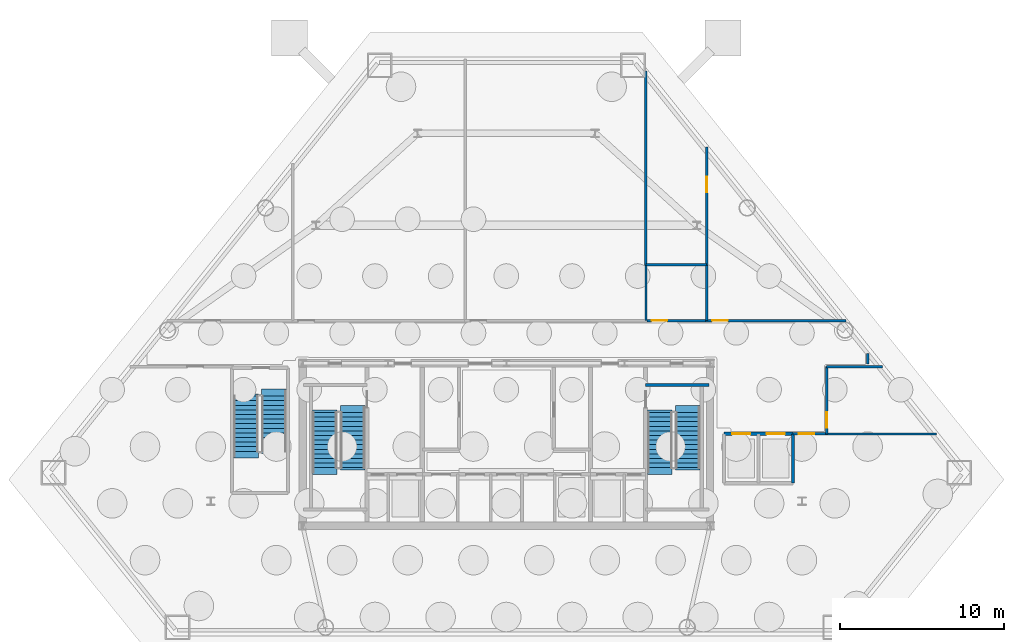
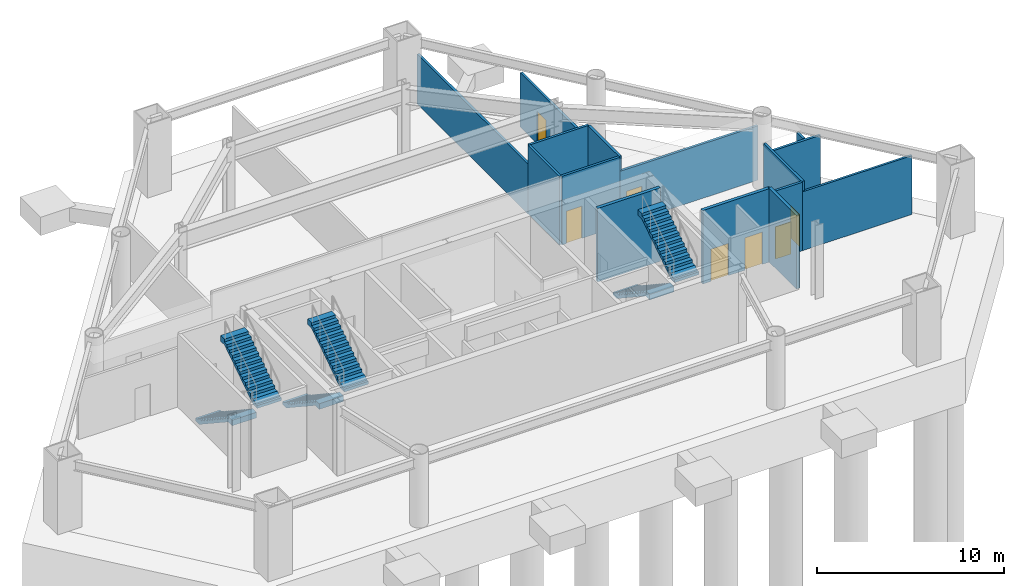
# One storey, part 5 of 8: 15 walls, 7 doors, 6 stair flights, 7 openings, 3 elements without a shape of their own.
"""IFC4 building model written with IfcOpenShell, lengths in metres."""

from ifc_helpers import new_model, si_unit, direction, frame, frame_2d, origin, place, context, subcontext, project, spatial, polyline, rectangle, outline, extrude, material, layer, layer_set, type_object, element, fill, aggregate, save


model = new_model("IFC4")

# Units and contexts
model_context = context("Model", 3, precision=1e-05, world=origin(), true_north=direction((0.0, 1.0)))
body_context = subcontext(model_context, "Body", "Model", "MODEL_VIEW")
ifc_project = project(units=[si_unit("LENGTHUNIT", "METRE"), si_unit("AREAUNIT", "SQUARE_METRE"), si_unit("VOLUMEUNIT", "CUBIC_METRE"), si_unit("PLANEANGLEUNIT", "RADIAN"), si_unit("MASSUNIT", "GRAM", prefix="KILO")], contexts=[model_context])

# Site, building, storey
site_placement = place(None, origin())
site = spatial("IfcSite", under=ifc_project, at=site_placement, CompositionType="ELEMENT")
building_placement = place(site_placement, origin())
building = spatial("IfcBuilding", under=site, at=building_placement, Name="Talgorran Terracotta Tower", CompositionType="ELEMENT")
storey_placement = place(building_placement, frame((0.0, 0.0, -4.800048828125)))
storey = spatial("IfcBuildingStorey", under=building, at=storey_placement, Name="B1", CompositionType="ELEMENT", Elevation=-4.800048828125)

# Wall
ifc_material_1 = material(Name="Concrete C50/60", Category="concrete")
ifc_layer_1 = layer(ifc_material_1, 0.199951171875, Name="WT_CORE_200")
ifc_layer_set_1 = layer_set([ifc_layer_1], Name="Concrete C50/60")
wall_type_1 = type_object("IfcWallType", Name="WT_CORE_200", PredefinedType="SOLIDWALL", material=ifc_layer_set_1)
wall_1_placement = place(storey_placement, frame((8.47998046875, -5.52001953125, 0.0), z_axis=(0.0, 0.0, 1.0), x_axis=(1.0, 0.0, 0.0)))
element("IfcWall", 1, at=wall_1_placement, inside=storey, type_object=wall_type_1, Name="WL-B1-CW-ST2-N", PredefinedType="SOLIDWALL", context=body_context, shape_type="SweptSolid", body=[
    extrude(rectangle(XDim=3.8701171875, YDim=0.199951171875, at=frame_2d((1.93505859375, 0.0))), origin(), (0.0, 0.0, 1.0), 4.800048828125),
])

# Wall, openings, doors
wall_2_placement = place(storey_placement, frame((13.25, -8.5, 0.0), z_axis=(0.0, 0.0, 1.0), x_axis=(1.0, 0.0, 0.0)))
wall_2 = element("IfcWall", 2, at=wall_2_placement, inside=storey, type_object=wall_type_1, Name="WL-B1-PW-HL-N", PredefinedType="SOLIDWALL", context=body_context, shape_type="SweptSolid", body=[
    extrude(rectangle(XDim=4.199951171875, YDim=0.199951171875, at=frame_2d((2.10009765625, 0.0))), origin(), (0.0, 0.0, 1.0), 4.800048828125),
])
opening_1_placement = place(wall_2_placement, frame((0.5, 0.0, 0.0)))
opening_1 = element("IfcOpeningElement", 3, at=opening_1_placement, cuts=wall_2, Name="Opening LD-HL1", PredefinedType="OPENING", context=body_context, shape_type="SweptSolid", body=[
    extrude(rectangle(XDim=1.10609765625, YDim=2.10409765625, at=frame_2d((0.550048828125, 1.052001953125))), frame((0.0, 0.10986328125, 0.0), z_axis=(0.0, -1.0, 0.0), x_axis=(1.0, 0.0, 0.0)), (0.0, 0.0, 1.0), 0.219970703125),
])
opening_2_placement = place(wall_2_placement, frame((2.60009765625, 0.0, 0.0)))
opening_2 = element("IfcOpeningElement", 4, at=opening_2_placement, cuts=wall_2, Name="Opening LD-HL2", PredefinedType="OPENING", context=body_context, shape_type="SweptSolid", body=[
    extrude(rectangle(XDim=1.10609765625, YDim=2.10409765625, at=frame_2d((0.550048828125, 1.052001953125))), frame((0.0, 0.10986328125, 0.0), z_axis=(0.0, -1.0, 0.0), x_axis=(1.0, 0.0, 0.0)), (0.0, 0.0, 1.0), 0.219970703125),
])
ifc_material_2 = material(Name="Brushed Stainless Steel Grade 304", Category="steel")
door_type_1 = type_object("IfcDoorType", Name="DT_LIFT_LD1100", OperationType="DOUBLE_DOOR_SLIDING", PredefinedType="DOOR", material=ifc_material_2)
door_1_placement = place(opening_1_placement, origin())
door_1 = element("IfcDoor", 5, at=door_1_placement, inside=storey, type_object=door_type_1, Name="B1 Lift Landing Door LD-HL1", OperationType="DOUBLE_DOOR_SLIDING", OverallHeight=2.10009765625, OverallWidth=1.10009765625, PredefinedType="DOOR", context=body_context, shape_type="SweptSolid", body=[
    extrude(rectangle(XDim=1.10009765625, YDim=2.10009765625, at=frame_2d((0.550048828125, 1.050048828125))), frame((0.0, 0.02490234375, 0.0), z_axis=(0.0, -1.0, 0.0), x_axis=(1.0, 0.0, 0.0)), (0.0, 0.0, 1.0), 0.050048828125),
])
fill(opening_1, door_1)
door_2_placement = place(opening_2_placement, origin())
door_2 = element("IfcDoor", 6, at=door_2_placement, inside=storey, type_object=door_type_1, Name="B1 Lift Landing Door LD-HL2", OperationType="DOUBLE_DOOR_SLIDING", OverallHeight=2.10009765625, OverallWidth=1.10009765625, PredefinedType="DOOR", context=body_context, shape_type="SweptSolid", body=[
    extrude(rectangle(XDim=1.10009765625, YDim=2.10009765625, at=frame_2d((0.550048828125, 1.050048828125))), frame((0.0, 0.02490234375, 0.0), z_axis=(0.0, -1.0, 0.0), x_axis=(1.0, 0.0, 0.0)), (0.0, 0.0, 1.0), 0.050048828125),
])
fill(opening_2, door_2)

# Walls
wall_3_placement = place(storey_placement, frame((17.449951171875, -11.5, 0.0), z_axis=(0.0, 0.0, 1.0), x_axis=(0.0, 1.0, 0.0)))
element("IfcWall", 7, at=wall_3_placement, inside=storey, type_object=wall_type_1, Name="WL-B1-PW-HL-E", PredefinedType="SOLIDWALL", context=body_context, shape_type="SweptSolid", body=[
    extrude(rectangle(XDim=3.0, YDim=0.199951171875, at=frame_2d((1.5, 0.0))), origin(), (0.0, 0.0, 1.0), 4.800048828125),
])
ifc_material_3 = material(Name="Fire-Rated Steel Stud Plasterboard", Category="steel")
ifc_layer_2 = layer(ifc_material_3, 0.14990234375, Name="WT_FIRE_150")
ifc_layer_set_2 = layer_set([ifc_layer_2], Name="Fire-Rated Steel Stud Plasterboard")
wall_type_2 = type_object("IfcWallType", Name="WT_FIRE_150", PredefinedType="PARTITIONING", material=ifc_layer_set_2)
wall_4_placement = place(storey_placement, frame((8.5, 1.739990234375, 0.0), z_axis=(0.0, 0.0, 1.0), x_axis=(0.0, 1.0, 0.0)))
element("IfcWall", 8, at=wall_4_placement, inside=storey, type_object=wall_type_2, Name="WL-B1-W-B1-R14", PredefinedType="PARTITIONING", context=body_context, shape_type="SweptSolid", body=[
    extrude(rectangle(XDim=11.854736328125, YDim=0.14990234375, at=frame_2d((5.92724609375, 0.0))), origin(), (0.0, 0.0, 1.0), 3.255126953125),
])

# Wall, opening, door
wall_5_placement = place(storey_placement, frame((12.139892578125, -1.60009765625, 0.0), z_axis=(0.0, 0.0, 1.0), x_axis=(1.0, 0.0, 0.0)))
wall_5 = element("IfcWall", 9, at=wall_5_placement, inside=storey, type_object=wall_type_2, Name="WL-B1-W-B1-R09", PredefinedType="PARTITIONING", context=body_context, shape_type="SweptSolid", body=[
    extrude(rectangle(XDim=8.529296875, YDim=0.14990234375, at=frame_2d((4.2646484375, 0.0))), origin(), (0.0, 0.0, 1.0), 3.547119140625),
])
opening_3_placement = place(wall_5_placement, frame((0.39990234375, 0.0, 0.0)))
opening_3 = element("IfcOpeningElement", 10, at=opening_3_placement, cuts=wall_5, Name="Opening DR-B1-R08", PredefinedType="OPENING", context=body_context, shape_type="SweptSolid", body=[
    extrude(rectangle(XDim=0.955951171875, YDim=2.10409765625, at=frame_2d((0.47509765625, 1.052001953125))), frame((0.0, 0.0849609375, 0.0), z_axis=(0.0, -1.0, 0.0), x_axis=(1.0, 0.0, 0.0)), (0.0, 0.0, 1.0), 0.169921875),
])
ifc_material_4 = material(Name="Fire-Rated Timber Core", Category="wood")
door_type_2 = type_object("IfcDoorType", Name="DT_FIRE_950", OperationType="NOTDEFINED", PredefinedType="DOOR", material=ifc_material_4)
door_3_placement = place(opening_3_placement, origin())
door_3 = element("IfcDoor", 11, at=door_3_placement, inside=storey, type_object=door_type_2, Name="DR-B1-R08", OperationType="SINGLE_SWING_RIGHT", OverallHeight=2.10009765625, OverallWidth=0.949951171875, PredefinedType="DOOR", context=body_context, shape_type="SweptSolid", body=[
    extrude(rectangle(XDim=0.949951171875, YDim=2.10009765625, at=frame_2d((0.47509765625, 1.050048828125))), frame((0.0, 0.02490234375, 0.0), z_axis=(0.0, -1.0, 0.0), x_axis=(1.0, 0.0, 0.0)), (0.0, 0.0, 1.0), 0.050048828125),
])
fill(opening_3, door_3)

wall_6_placement = place(storey_placement, frame((12.199951171875, 1.739990234375, 0.0), z_axis=(0.0, 0.0, 1.0), x_axis=(0.0, 1.0, 0.0)))
wall_6 = element("IfcWall", 12, at=wall_6_placement, inside=storey, type_object=wall_type_2, Name="WL-B1-W-B1-R17", PredefinedType="PARTITIONING", context=body_context, shape_type="SweptSolid", body=[
    extrude(rectangle(XDim=7.23486328125, YDim=0.14990234375, at=frame_2d((3.617431640625, 0.0))), origin(), (0.0, 0.0, 1.0), 3.547119140625),
])
opening_4_placement = place(wall_6_placement, frame((4.46923828125, 0.0, 0.0)))
opening_4 = element("IfcOpeningElement", 13, at=opening_4_placement, cuts=wall_6, Name="Opening DR-B1-R09", PredefinedType="OPENING", context=body_context, shape_type="SweptSolid", body=[
    extrude(rectangle(XDim=0.955951171875, YDim=2.10409765625, at=frame_2d((0.47509765625, 1.052001953125))), frame((0.0, 0.0849609375, 0.0), z_axis=(0.0, -1.0, 0.0), x_axis=(1.0, 0.0, 0.0)), (0.0, 0.0, 1.0), 0.169921875),
])
door_4_placement = place(opening_4_placement, origin())
door_4 = element("IfcDoor", 14, at=door_4_placement, inside=storey, type_object=door_type_2, Name="DR-B1-R09", OperationType="SINGLE_SWING_LEFT", OverallHeight=2.10009765625, OverallWidth=0.949951171875, PredefinedType="DOOR", context=body_context, shape_type="SweptSolid", body=[
    extrude(rectangle(XDim=0.949951171875, YDim=2.10009765625, at=frame_2d((0.47509765625, 1.050048828125))), frame((0.0, 0.02490234375, 0.0), z_axis=(0.0, -1.0, 0.0), x_axis=(1.0, 0.0, 0.0)), (0.0, 0.0, 1.0), 0.050048828125),
])
fill(opening_4, door_4)

wall_7_placement = place(storey_placement, frame((19.5, -8.5, 0.0), z_axis=(0.0, 0.0, 1.0), x_axis=(0.0, 1.0, 0.0)))
wall_7 = element("IfcWall", 15, at=wall_7_placement, inside=storey, type_object=wall_type_2, Name="WL-B1-W-B1-R03", PredefinedType="PARTITIONING", context=body_context, shape_type="SweptSolid", body=[
    extrude(rectangle(XDim=4.10009765625, YDim=0.14990234375, at=frame_2d((2.050048828125, 0.0))), origin(), (0.0, 0.0, 1.0), 4.47998046875),
])
opening_5_placement = place(wall_7_placement, frame((0.359130859375, 0.0, 0.0)))
opening_5 = element("IfcOpeningElement", 16, at=opening_5_placement, cuts=wall_7, Name="Opening DR-B1-R03", PredefinedType="OPENING", context=body_context, shape_type="SweptSolid", body=[
    extrude(rectangle(XDim=0.955951171875, YDim=2.10409765625, at=frame_2d((0.47509765625, 1.052001953125))), frame((0.0, 0.0849609375, 0.0), z_axis=(0.0, -1.0, 0.0), x_axis=(1.0, 0.0, 0.0)), (0.0, 0.0, 1.0), 0.169921875),
])
door_5_placement = place(opening_5_placement, origin())
door_5 = element("IfcDoor", 17, at=door_5_placement, inside=storey, type_object=door_type_2, Name="DR-B1-R03", OperationType="SINGLE_SWING_LEFT", OverallHeight=2.10009765625, OverallWidth=0.949951171875, PredefinedType="DOOR", context=body_context, shape_type="SweptSolid", body=[
    extrude(rectangle(XDim=0.949951171875, YDim=2.10009765625, at=frame_2d((0.47509765625, 1.050048828125))), frame((0.0, 0.02490234375, 0.0), z_axis=(0.0, -1.0, 0.0), x_axis=(1.0, 0.0, 0.0)), (0.0, 0.0, 1.0), 0.050048828125),
])
fill(opening_5, door_5)

wall_8_placement = place(storey_placement, frame((8.56201171875, -1.60009765625, 0.0), z_axis=(0.0, 0.0, 1.0), x_axis=(1.0, 0.0, 0.0)))
wall_8 = element("IfcWall", 18, at=wall_8_placement, inside=storey, type_object=wall_type_2, Name="WL-B1-W-B1-R08", PredefinedType="PARTITIONING", context=body_context, shape_type="SweptSolid", body=[
    extrude(rectangle(XDim=3.575927734375, YDim=0.14990234375, at=frame_2d((1.7880859375, 0.0))), origin(), (0.0, 0.0, 1.0), 4.47998046875),
])
opening_6_placement = place(wall_8_placement, frame((0.27685546875, 0.0, 0.0)))
opening_6 = element("IfcOpeningElement", 19, at=opening_6_placement, cuts=wall_8, Name="Opening DR-B1-R07", PredefinedType="OPENING", context=body_context, shape_type="SweptSolid", body=[
    extrude(rectangle(XDim=0.955951171875, YDim=2.10409765625, at=frame_2d((0.47509765625, 1.052001953125))), frame((0.0, 0.0849609375, 0.0), z_axis=(0.0, -1.0, 0.0), x_axis=(1.0, 0.0, 0.0)), (0.0, 0.0, 1.0), 0.169921875),
])
door_6_placement = place(opening_6_placement, origin())
door_6 = element("IfcDoor", 20, at=door_6_placement, inside=storey, type_object=door_type_2, Name="DR-B1-R07", OperationType="SINGLE_SWING_LEFT", OverallHeight=2.10009765625, OverallWidth=0.949951171875, PredefinedType="DOOR", context=body_context, shape_type="SweptSolid", body=[
    extrude(rectangle(XDim=0.949951171875, YDim=2.10009765625, at=frame_2d((0.47509765625, 1.050048828125))), frame((0.0, 0.02490234375, 0.0), z_axis=(0.0, -1.0, 0.0), x_axis=(1.0, 0.0, 0.0)), (0.0, 0.0, 1.0), 0.050048828125),
])
fill(opening_6, door_6)

# Walls
wall_9_placement = place(storey_placement, frame((8.5, 1.800048828125, 0.0), z_axis=(0.0, 0.0, 1.0), x_axis=(1.0, 0.0, 0.0)))
element("IfcWall", 21, at=wall_9_placement, inside=storey, type_object=wall_type_2, Name="WL-B1-W-B1-R16", PredefinedType="PARTITIONING", context=body_context, shape_type="SweptSolid", body=[
    extrude(rectangle(XDim=3.699951171875, YDim=0.14990234375, at=frame_2d((1.85009765625, 0.0))), origin(), (0.0, 0.0, 1.0), 4.47998046875),
])
wall_10_placement = place(storey_placement, frame((19.5, -4.39990234375, 0.0), z_axis=(0.0, 0.0, 1.0), x_axis=(1.0, 0.0, 0.0)))
element("IfcWall", 22, at=wall_10_placement, inside=storey, type_object=wall_type_2, Name="WL-B1-W-B1-R04", PredefinedType="PARTITIONING", context=body_context, shape_type="SweptSolid", body=[
    extrude(rectangle(XDim=3.411865234375, YDim=0.14990234375, at=frame_2d((1.7060546875, 0.0))), origin(), (0.0, 0.0, 1.0), 3.843505859375),
])
wall_11_placement = place(storey_placement, frame((12.199951171875, -1.60009765625, 0.0), z_axis=(0.0, 0.0, 1.0), x_axis=(0.0, 1.0, 0.0)))
element("IfcWall", 23, at=wall_11_placement, inside=storey, type_object=wall_type_2, Name="WL-B1-W-B1-R15", PredefinedType="PARTITIONING", context=body_context, shape_type="SweptSolid", body=[
    extrude(rectangle(XDim=3.338134765625, YDim=0.14990234375, at=frame_2d((1.6689453125, 0.0))), origin(), (0.0, 0.0, 1.0), 4.47998046875),
])

# Wall, opening, door
wall_12_placement = place(storey_placement, frame((17.451904296875, -8.5, 0.0), z_axis=(0.0, 0.0, 1.0), x_axis=(1.0, 0.0, 0.0)))
wall_12 = element("IfcWall", 24, at=wall_12_placement, inside=storey, type_object=wall_type_2, Name="WL-B1-W-B1-R02", PredefinedType="PARTITIONING", context=body_context, shape_type="SweptSolid", body=[
    extrude(rectangle(XDim=1.986083984375, YDim=0.14990234375, at=frame_2d((0.9931640625, 0.0))), origin(), (0.0, 0.0, 1.0), 4.47998046875),
])
opening_7_placement = place(wall_12_placement, frame((0.34521484375, 0.0, 0.0)))
opening_7 = element("IfcOpeningElement", 25, at=opening_7_placement, cuts=wall_12, Name="Opening DR-B1-R02", PredefinedType="OPENING", context=body_context, shape_type="SweptSolid", body=[
    extrude(rectangle(XDim=0.955951171875, YDim=2.10409765625, at=frame_2d((0.47509765625, 1.052001953125))), frame((0.0, 0.0849609375, 0.0), z_axis=(0.0, -1.0, 0.0), x_axis=(1.0, 0.0, 0.0)), (0.0, 0.0, 1.0), 0.169921875),
])
door_7_placement = place(opening_7_placement, origin())
door_7 = element("IfcDoor", 26, at=door_7_placement, inside=storey, type_object=door_type_2, Name="DR-B1-R02", OperationType="SINGLE_SWING_RIGHT", OverallHeight=2.10009765625, OverallWidth=0.949951171875, PredefinedType="DOOR", context=body_context, shape_type="SweptSolid", body=[
    extrude(rectangle(XDim=0.949951171875, YDim=2.10009765625, at=frame_2d((0.47509765625, 1.050048828125))), frame((0.0, 0.02490234375, 0.0), z_axis=(0.0, -1.0, 0.0), x_axis=(1.0, 0.0, 0.0)), (0.0, 0.0, 1.0), 0.050048828125),
])
fill(opening_7, door_7)

# Walls
ifc_material_5 = material(Name="Moisture-Resistant Stud Wall")
ifc_layer_3 = layer(ifc_material_5, 0.135009765625, Name="WT_PART_135")
ifc_layer_set_3 = layer_set([ifc_layer_3], Name="Moisture-Resistant Stud Wall")
wall_type_3 = type_object("IfcWallType", Name="WT_PART_135", PredefinedType="PARTITIONING", material=ifc_layer_set_3)
wall_13_placement = place(storey_placement, frame((19.43994140625, -8.5, 0.0), z_axis=(0.0, 0.0, 1.0), x_axis=(1.0, 0.0, 0.0)))
element("IfcWall", 27, at=wall_13_placement, inside=storey, type_object=wall_type_3, Name="WL-B1-W-B1-R10", PredefinedType="PARTITIONING", context=body_context, shape_type="SweptSolid", body=[
    extrude(rectangle(XDim=6.75537109375, YDim=0.135009765625, at=frame_2d((3.377685546875, 0.0))), origin(), (0.0, 0.0, 1.0), 3.843505859375),
])
wall_14_placement = place(storey_placement, frame((8.5, -1.60009765625, 0.0), z_axis=(0.0, 0.0, 1.0), x_axis=(0.0, 1.0, 0.0)))
element("IfcWall", 28, at=wall_14_placement, inside=storey, type_object=wall_type_3, Name="WL-B1-W-B1-R13", PredefinedType="PARTITIONING", context=body_context, shape_type="SweptSolid", body=[
    extrude(rectangle(XDim=3.338134765625, YDim=0.135009765625, at=frame_2d((1.6689453125, 0.0))), origin(), (0.0, 0.0, 1.0), 4.47998046875),
])
wall_15_placement = place(storey_placement, frame((22.0, -4.260009765625, 0.0), z_axis=(0.0, 0.0, 1.0), x_axis=(0.0, 1.0, 0.0)))
element("IfcWall", 29, at=wall_15_placement, inside=storey, type_object=wall_type_3, Name="WL-B1-W-B1-R18", PredefinedType="PARTITIONING", context=body_context, shape_type="SweptSolid", body=[
    extrude(rectangle(XDim=0.646484375, YDim=0.135009765625, at=frame_2d((0.3232421875, 0.0))), origin(), (0.0, 0.0, 1.0), 3.843505859375),
])

# Stair, stair flights
ifc_material_6 = material(Name="Concrete C40/50", Category="concrete")
stair_type_1 = type_object("IfcStairType", Name="ST_FIRE_SCISSOR", PredefinedType="HALF_TURN_STAIR", material=ifc_material_6)
stair_1_placement = place(storey_placement, origin())
stair_1 = element("IfcStair", 30, at=stair_1_placement, inside=storey, type_object=stair_type_1, Name="B1 West Protected Fire Stair ST-01", PredefinedType="HALF_TURN_STAIR")
ifc_layer_4 = layer(ifc_material_6, 0.179931640625, Name="STF_RC_1500")
ifc_layer_set_4 = layer_set([ifc_layer_4], Name="Concrete C40/50")
stair_flight_type_1 = type_object("IfcStairFlightType", Name="STF_RC_1500", PredefinedType="STRAIGHT", material=ifc_layer_set_4)
stair_flight_1_placement = place(storey_placement, frame((-11.050048828125, -7.199951171875, 0.0), z_axis=(0.0, 0.0, 1.0), x_axis=(0.0, -1.0, 0.0)))
stair_flight_1 = element("IfcStairFlight", 31, at=stair_flight_1_placement, type_object=stair_flight_type_1, Name="ST-01 flight 1", NumberOfRisers=13, NumberOfTreads=12, PredefinedType="STRAIGHT", RiserHeight=0.184615385, TreadLength=0.28, context=body_context, shape_type="SweptSolid", body=[
    extrude(outline(polyline([(-0.139892578125, 0.0), (-0.139892578125, 0.1845703125), (0.0, 0.1845703125), (0.280029296875, 0.369140625), (0.56005859375, 0.369140625), (0.56005859375, 0.553955078125), (0.840087890625, 0.553955078125), (0.840087890625, 0.738525390625), (1.1201171875, 0.738525390625), (1.1201171875, 0.923095703125), (1.39990234375, 0.923095703125), (1.39990234375, 1.107666015625), (1.679931640625, 1.107666015625), (1.679931640625, 1.292236328125), (1.9599609375, 1.292236328125), (1.9599609375, 1.476806640625), (2.239990234375, 1.476806640625), (2.239990234375, 1.66162109375), (2.52001953125, 1.66162109375), (2.52001953125, 1.84619140625), (2.800048828125, 1.84619140625), (2.800048828125, 2.03076171875), (3.080078125, 2.03076171875), (3.080078125, 2.21533203125), (3.360107421875, 2.21533203125), (3.360107421875, 2.39990234375), (3.780029296875, 2.39990234375), (3.780029296875, 2.035888671875), (3.360107421875, 2.035888671875), (0.272216796875, 0.0), (-0.139892578125, 0.0)])), frame((0.0, 0.75, 0.0), z_axis=(0.0, -1.0, 0.0), x_axis=(1.0, 0.0, 0.0)), (0.0, 0.0, 1.0), 1.5),
])
stair_flight_2_placement = place(storey_placement, frame((-9.35009765625, -10.56005859375, 2.400146484375), z_axis=(0.0, 0.0, 1.0), x_axis=(0.0, 1.0, 0.0)))
stair_flight_2 = element("IfcStairFlight", 32, at=stair_flight_2_placement, type_object=stair_flight_type_1, Name="ST-01 flight 2", NumberOfRisers=13, NumberOfTreads=12, PredefinedType="STRAIGHT", RiserHeight=0.184615385, TreadLength=0.28, context=body_context, shape_type="SweptSolid", body=[
    extrude(outline(polyline([(-0.139892578125, 0.0), (-0.139892578125, 0.1845703125), (0.0, 0.1845703125), (0.280029296875, 0.369140625), (0.56005859375, 0.369140625), (0.56005859375, 0.553955078125), (0.840087890625, 0.553955078125), (0.840087890625, 0.738525390625), (1.1201171875, 0.738525390625), (1.1201171875, 0.923095703125), (1.39990234375, 0.923095703125), (1.39990234375, 1.107666015625), (1.679931640625, 1.107666015625), (1.679931640625, 1.292236328125), (1.9599609375, 1.292236328125), (1.9599609375, 1.476806640625), (2.239990234375, 1.476806640625), (2.239990234375, 1.66162109375), (2.52001953125, 1.66162109375), (2.52001953125, 1.84619140625), (2.800048828125, 1.84619140625), (2.800048828125, 2.03076171875), (3.080078125, 2.03076171875), (3.080078125, 2.21533203125), (3.360107421875, 2.21533203125), (3.360107421875, 2.39990234375), (3.780029296875, 2.39990234375), (3.780029296875, 2.035888671875), (3.360107421875, 2.035888671875), (0.272216796875, 0.0), (-0.139892578125, 0.0)])), frame((0.0, 0.75, 0.0), z_axis=(0.0, -1.0, 0.0), x_axis=(1.0, 0.0, 0.0)), (0.0, 0.0, 1.0), 1.5),
])
aggregate(stair_1, [stair_flight_1, stair_flight_2])

stair_2_placement = place(storey_placement, origin())
stair_2 = element("IfcStair", 33, at=stair_2_placement, inside=storey, type_object=stair_type_1, Name="B1 East Protected Fire Stair ST-02", PredefinedType="HALF_TURN_STAIR")
stair_flight_3_placement = place(storey_placement, frame((9.35009765625, -7.199951171875, 0.0), z_axis=(0.0, 0.0, 1.0), x_axis=(0.0, -1.0, 0.0)))
stair_flight_3 = element("IfcStairFlight", 34, at=stair_flight_3_placement, type_object=stair_flight_type_1, Name="ST-02 flight 1", NumberOfRisers=13, NumberOfTreads=12, PredefinedType="STRAIGHT", RiserHeight=0.184615385, TreadLength=0.28, context=body_context, shape_type="SweptSolid", body=[
    extrude(outline(polyline([(-0.139892578125, 0.0), (-0.139892578125, 0.1845703125), (0.0, 0.1845703125), (0.280029296875, 0.369140625), (0.56005859375, 0.369140625), (0.56005859375, 0.553955078125), (0.840087890625, 0.553955078125), (0.840087890625, 0.738525390625), (1.1201171875, 0.738525390625), (1.1201171875, 0.923095703125), (1.39990234375, 0.923095703125), (1.39990234375, 1.107666015625), (1.679931640625, 1.107666015625), (1.679931640625, 1.292236328125), (1.9599609375, 1.292236328125), (1.9599609375, 1.476806640625), (2.239990234375, 1.476806640625), (2.239990234375, 1.66162109375), (2.52001953125, 1.66162109375), (2.52001953125, 1.84619140625), (2.800048828125, 1.84619140625), (2.800048828125, 2.03076171875), (3.080078125, 2.03076171875), (3.080078125, 2.21533203125), (3.360107421875, 2.21533203125), (3.360107421875, 2.39990234375), (3.780029296875, 2.39990234375), (3.780029296875, 2.035888671875), (3.360107421875, 2.035888671875), (0.272216796875, 0.0), (-0.139892578125, 0.0)])), frame((0.0, 0.75, 0.0), z_axis=(0.0, -1.0, 0.0), x_axis=(1.0, 0.0, 0.0)), (0.0, 0.0, 1.0), 1.5),
])
stair_flight_4_placement = place(storey_placement, frame((11.050048828125, -10.56005859375, 2.400146484375), z_axis=(0.0, 0.0, 1.0), x_axis=(0.0, 1.0, 0.0)))
stair_flight_4 = element("IfcStairFlight", 35, at=stair_flight_4_placement, type_object=stair_flight_type_1, Name="ST-02 flight 2", NumberOfRisers=13, NumberOfTreads=12, PredefinedType="STRAIGHT", RiserHeight=0.184615385, TreadLength=0.28, context=body_context, shape_type="SweptSolid", body=[
    extrude(outline(polyline([(-0.139892578125, 0.0), (-0.139892578125, 0.1845703125), (0.0, 0.1845703125), (0.280029296875, 0.369140625), (0.56005859375, 0.369140625), (0.56005859375, 0.553955078125), (0.840087890625, 0.553955078125), (0.840087890625, 0.738525390625), (1.1201171875, 0.738525390625), (1.1201171875, 0.923095703125), (1.39990234375, 0.923095703125), (1.39990234375, 1.107666015625), (1.679931640625, 1.107666015625), (1.679931640625, 1.292236328125), (1.9599609375, 1.292236328125), (1.9599609375, 1.476806640625), (2.239990234375, 1.476806640625), (2.239990234375, 1.66162109375), (2.52001953125, 1.66162109375), (2.52001953125, 1.84619140625), (2.800048828125, 1.84619140625), (2.800048828125, 2.03076171875), (3.080078125, 2.03076171875), (3.080078125, 2.21533203125), (3.360107421875, 2.21533203125), (3.360107421875, 2.39990234375), (3.780029296875, 2.39990234375), (3.780029296875, 2.035888671875), (3.360107421875, 2.035888671875), (0.272216796875, 0.0), (-0.139892578125, 0.0)])), frame((0.0, 0.75, 0.0), z_axis=(0.0, -1.0, 0.0), x_axis=(1.0, 0.0, 0.0)), (0.0, 0.0, 1.0), 1.5),
])
aggregate(stair_2, [stair_flight_3, stair_flight_4])

stair_type_2 = type_object("IfcStairType", Name="ST_PODIUM_DOGLEG", PredefinedType="HALF_TURN_STAIR", material=ifc_material_6)
stair_3_placement = place(storey_placement, origin())
stair_3 = element("IfcStair", 36, at=stair_3_placement, inside=storey, type_object=stair_type_2, Name="B1 Podium Health Fire Stair ST-03", PredefinedType="HALF_TURN_STAIR")
ifc_layer_5 = layer(ifc_material_6, 0.195068359375, Name="STF_RC_PODIUM")
ifc_layer_set_5 = layer_set([ifc_layer_5], Name="Concrete C40/50")
stair_flight_type_2 = type_object("IfcStairFlightType", Name="STF_RC_PODIUM", PredefinedType="STRAIGHT", material=ifc_layer_set_5)
stair_flight_5_placement = place(storey_placement, frame((-15.85009765625, -6.199951171875, 0.0), z_axis=(0.0, 0.0, 1.0), x_axis=(0.0, -1.0, 0.0)))
stair_flight_5 = element("IfcStairFlight", 37, at=stair_flight_5_placement, type_object=stair_flight_type_2, Name="ST-03 flight 1", NumberOfRisers=13, NumberOfTreads=12, PredefinedType="STRAIGHT", RiserHeight=0.184615385, TreadLength=0.28, context=body_context, shape_type="SweptSolid", body=[
    extrude(outline(polyline([(-0.139892578125, 0.0), (-0.139892578125, 0.1845703125), (0.0, 0.1845703125), (0.280029296875, 0.369140625), (0.56005859375, 0.369140625), (0.56005859375, 0.553955078125), (0.840087890625, 0.553955078125), (0.840087890625, 0.738525390625), (1.1201171875, 0.738525390625), (1.1201171875, 0.923095703125), (1.39990234375, 0.923095703125), (1.39990234375, 1.107666015625), (1.679931640625, 1.107666015625), (1.679931640625, 1.292236328125), (1.9599609375, 1.292236328125), (1.9599609375, 1.476806640625), (2.239990234375, 1.476806640625), (2.239990234375, 1.66162109375), (2.52001953125, 1.66162109375), (2.52001953125, 1.84619140625), (2.800048828125, 1.84619140625), (2.800048828125, 2.03076171875), (3.080078125, 2.03076171875), (3.080078125, 2.21533203125), (3.360107421875, 2.21533203125), (3.360107421875, 2.39990234375), (3.780029296875, 2.39990234375), (3.780029296875, 2.035888671875), (3.360107421875, 2.035888671875), (0.272216796875, 0.0), (-0.139892578125, 0.0)])), frame((0.0, 0.75, 0.0), z_axis=(0.0, -1.0, 0.0), x_axis=(1.0, 0.0, 0.0)), (0.0, 0.0, 1.0), 1.5),
])
stair_flight_6_placement = place(storey_placement, frame((-14.14990234375, -9.56005859375, 2.400146484375), z_axis=(0.0, 0.0, 1.0), x_axis=(0.0, 1.0, 0.0)))
stair_flight_6 = element("IfcStairFlight", 38, at=stair_flight_6_placement, type_object=stair_flight_type_2, Name="ST-03 flight 2", NumberOfRisers=13, NumberOfTreads=12, PredefinedType="STRAIGHT", RiserHeight=0.184615385, TreadLength=0.28, context=body_context, shape_type="SweptSolid", body=[
    extrude(outline(polyline([(-0.139892578125, 0.0), (-0.139892578125, 0.1845703125), (0.0, 0.1845703125), (0.280029296875, 0.369140625), (0.56005859375, 0.369140625), (0.56005859375, 0.553955078125), (0.840087890625, 0.553955078125), (0.840087890625, 0.738525390625), (1.1201171875, 0.738525390625), (1.1201171875, 0.923095703125), (1.39990234375, 0.923095703125), (1.39990234375, 1.107666015625), (1.679931640625, 1.107666015625), (1.679931640625, 1.292236328125), (1.9599609375, 1.292236328125), (1.9599609375, 1.476806640625), (2.239990234375, 1.476806640625), (2.239990234375, 1.66162109375), (2.52001953125, 1.66162109375), (2.52001953125, 1.84619140625), (2.800048828125, 1.84619140625), (2.800048828125, 2.03076171875), (3.080078125, 2.03076171875), (3.080078125, 2.21533203125), (3.360107421875, 2.21533203125), (3.360107421875, 2.39990234375), (3.780029296875, 2.39990234375), (3.780029296875, 2.035888671875), (3.360107421875, 2.035888671875), (0.272216796875, 0.0), (-0.139892578125, 0.0)])), frame((0.0, 0.75, 0.0), z_axis=(0.0, -1.0, 0.0), x_axis=(1.0, 0.0, 0.0)), (0.0, 0.0, 1.0), 1.5),
])
aggregate(stair_3, [stair_flight_5, stair_flight_6])

save(model, "model.ifc")
